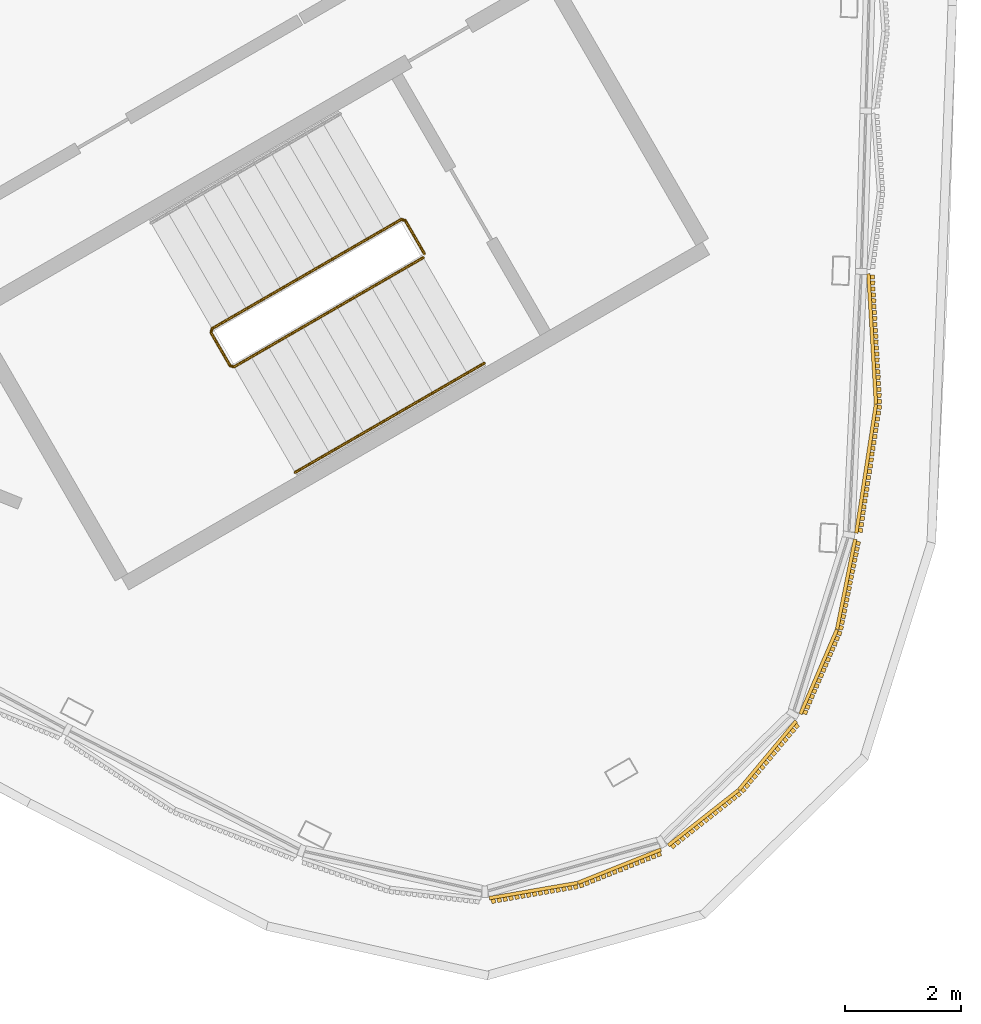
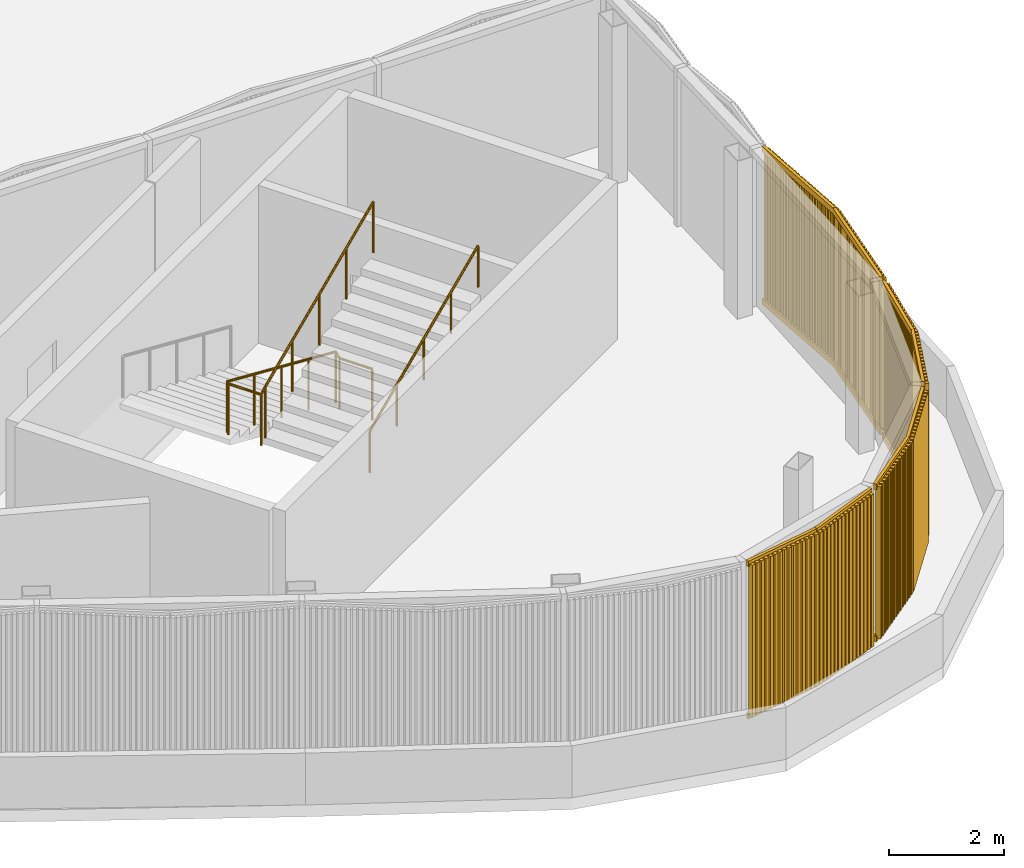
# One storey, part 13 of 16: 4 coverings, 2 railings.
"""IFC4 building model written with IfcOpenShell, lengths in metres."""

from ifc_helpers import new_model, si_unit, direction, frame, frame_2d, origin, origin_2d, place, context, subcontext, project, spatial, rectangle, circle, extrude, source, transform, mapped, material, type_object, element, save


model = new_model("IFC4")

# Units and contexts
model_context = context("Model", 3, precision=1e-05, world=origin(), true_north=direction((0.0, 1.0)))
body_context = subcontext(model_context, "Body", "Model", "MODEL_VIEW")
ifc_project = project(units=[si_unit("LENGTHUNIT", "METRE"), si_unit("AREAUNIT", "SQUARE_METRE"), si_unit("VOLUMEUNIT", "CUBIC_METRE"), si_unit("PLANEANGLEUNIT", "RADIAN"), si_unit("MASSUNIT", "GRAM", prefix="KILO")], contexts=[model_context])

# Site, building, storey
site_placement = place(None, origin())
site = spatial("IfcSite", under=ifc_project, at=site_placement, CompositionType="ELEMENT")
building_placement = place(site_placement, origin())
building = spatial("IfcBuilding", under=site, at=building_placement, Name="Tamra Quay Hotel Tower", CompositionType="ELEMENT")
storey_placement = place(building_placement, frame((0.0, 0.0, 320.60009765625)))
storey = spatial("IfcBuildingStorey", under=building, at=storey_placement, Name="Roof crown 1", CompositionType="ELEMENT", Elevation=320.60009765625)

# Railings
ifc_material_1 = material(Name="Stair guard 1100")
railing_type_1 = type_object("IfcRailingType", Name="Stair guard 1100", PredefinedType="GUARDRAIL", material=ifc_material_1)
railing_1_placement = place(storey_placement, frame((8.245849609375, -11.221923828125, 0.0)))
element("IfcRailing", 1, at=railing_1_placement, inside=storey, type_object=railing_type_1, Name="GR", PredefinedType="GUARDRAIL", context=body_context, shape_type="SweptSolid", body=[
    extrude(circle(Radius=0.02392578125, at=origin_2d()), frame((0.0, 0.0, 1.076171875), z_axis=(-0.500043078269, 0.866000531106, 0.0), x_axis=(-0.866000531106, -0.500043078269, 0.0)), (0.0, 0.0, 1.0), 0.6591796875),
    extrude(circle(Radius=0.02392578125, at=origin_2d()), frame((-0.32958984375, 0.57080078125, 1.076171875), z_axis=(-0.41238007866, 0.110458949641, 0.904290601062), x_axis=(-0.258736085224, -0.965948051503, 0.0)), (0.0, 0.0, 1.0), 0.165771484375),
    extrude(circle(Radius=0.02392578125, at=origin_2d()), frame((-0.39794921875, 0.589111328125, 1.22607421875), z_axis=(-0.793100512587, -0.457912285461, 0.401631567183), x_axis=(0.500012686397, -0.866018079166, 0.0)), (0.0, 0.0, 1.0), 4.10791015625),
    extrude(circle(Radius=0.02392578125, at=origin_2d()), frame((-3.656005859375, -1.2919921875, 2.8759765625), z_axis=(-0.256368644879, -0.966579080015, 0.0), x_axis=(0.966579080015, -0.256368644879, 0.0)), (0.0, 0.0, 1.0), 0.070556640625),
    extrude(circle(Radius=0.02392578125, at=origin_2d()), frame((-3.674072265625, -1.360107421875, 2.8759765625), z_axis=(0.499765215335, -0.866160914346, 0.0), x_axis=(0.866160914346, 0.499765215335, 0.0)), (0.0, 0.0, 1.0), 0.658935546875),
    extrude(circle(Radius=0.02392578125, at=origin_2d()), frame((-3.3447265625, -1.930908203125, 2.8759765625), z_axis=(0.411831509231, -0.110312011401, 0.90455849349), x_axis=(0.258736085224, 0.965948051503, 0.0)), (0.0, 0.0, 1.0), 0.166015625),
    extrude(circle(Radius=0.02392578125, at=origin_2d()), frame((-3.2763671875, -1.94921875, 3.02587890625), z_axis=(0.793100512587, 0.457912285461, 0.401631567183), x_axis=(-0.500012686397, 0.866018079166, 0.0)), (0.0, 0.0, 1.0), 4.10791015625),
    extrude(circle(Radius=0.02099609375, at=origin_2d()), origin(), (0.0, 0.0, 1.0), 1.052001953125),
    extrude(circle(Radius=0.02099609375, at=origin_2d()), frame((-0.32958984375, 0.57080078125, 0.0)), (0.0, 0.0, 1.0), 1.052001953125),
    extrude(circle(Radius=0.02099609375, at=origin_2d()), frame((-0.39794921875, 0.589111328125, 0.14990234375)), (0.0, 0.0, 1.0), 1.052001953125),
    extrude(circle(Radius=0.02099609375, at=origin_2d()), frame((-1.21240234375, 0.118896484375, 0.5625)), (0.0, 0.0, 1.0), 1.052001953125),
    extrude(circle(Radius=0.02099609375, at=origin_2d()), frame((-2.02685546875, -0.3515625, 0.974853515625)), (0.0, 0.0, 1.0), 1.052001953125),
    extrude(circle(Radius=0.02099609375, at=origin_2d()), frame((-2.841552734375, -0.82177734375, 1.38720703125)), (0.0, 0.0, 1.0), 1.052001953125),
    extrude(circle(Radius=0.02099609375, at=origin_2d()), frame((-3.656005859375, -1.2919921875, 1.7998046875)), (0.0, 0.0, 1.0), 1.052001953125),
    extrude(circle(Radius=0.02099609375, at=origin_2d()), frame((-3.674072265625, -1.360107421875, 1.7998046875)), (0.0, 0.0, 1.0), 1.052001953125),
    extrude(circle(Radius=0.02099609375, at=origin_2d()), frame((-3.3447265625, -1.930908203125, 1.7998046875)), (0.0, 0.0, 1.0), 1.052001953125),
    extrude(circle(Radius=0.02099609375, at=origin_2d()), frame((-3.2763671875, -1.94921875, 1.949951171875)), (0.0, 0.0, 1.0), 1.052001953125),
    extrude(circle(Radius=0.02099609375, at=origin_2d()), frame((-2.4619140625, -1.47900390625, 2.3623046875)), (0.0, 0.0, 1.0), 1.052001953125),
    extrude(circle(Radius=0.02099609375, at=origin_2d()), frame((-1.6474609375, -1.0087890625, 2.77490234375)), (0.0, 0.0, 1.0), 1.052001953125),
    extrude(circle(Radius=0.02099609375, at=origin_2d()), frame((-0.832763671875, -0.538330078125, 3.1875)), (0.0, 0.0, 1.0), 1.052001953125),
    extrude(circle(Radius=0.02099609375, at=origin_2d()), frame((-0.018310546875, -0.068115234375, 3.599853515625)), (0.0, 0.0, 1.0), 1.052001953125),
])
ifc_material_2 = material(Name="Stair handrail 900")
railing_type_2 = type_object("IfcRailingType", Name="Stair handrail 900", PredefinedType="HANDRAIL", material=ifc_material_2)
railing_2_placement = place(storey_placement, frame((6.01953125, -14.98974609375, 1.949951171875)))
element("IfcRailing", 2, at=railing_2_placement, inside=storey, type_object=railing_type_2, Name="HR", PredefinedType="HANDRAIL", context=body_context, shape_type="SweptSolid", body=[
    extrude(circle(Radius=0.02392578125, at=origin_2d()), frame((0.0, 0.0, 0.8759765625), z_axis=(0.79310004713, 0.457886897714, 0.401661429744), x_axis=(-0.499992114976, 0.866029956157, 0.0)), (0.0, 0.0, 1.0), 4.107666015625),
    extrude(circle(Radius=0.02099609375, at=origin_2d()), origin(), (0.0, 0.0, 1.0), 0.851806640625),
    extrude(circle(Radius=0.02099609375, at=origin_2d()), frame((0.814453125, 0.47021484375, 0.41259765625)), (0.0, 0.0, 1.0), 0.851806640625),
    extrude(circle(Radius=0.02099609375, at=origin_2d()), frame((1.62890625, 0.9404296875, 0.824951171875)), (0.0, 0.0, 1.0), 0.851806640625),
    extrude(circle(Radius=0.02099609375, at=origin_2d()), frame((2.443359375, 1.41064453125, 1.2373046875)), (0.0, 0.0, 1.0), 0.851806640625),
    extrude(circle(Radius=0.02099609375, at=origin_2d()), frame((3.2578125, 1.880859375, 1.64990234375)), (0.0, 0.0, 1.0), 0.851806640625),
])

# Coverings
ifc_material_3 = material(Name="Terracotta baguette extruded", Category="masonry")
covering_type = type_object("IfcCoveringType", Name="BAGUETTE SCREEN CROWN H3350", PredefinedType="USERDEFINED", material=ifc_material_3)
shared_shape_1 = source(origin(), body_context, "Body", "SweptSolid", [
    extrude(rectangle(XDim=2.244873046875, YDim=0.06005859375, at=frame_2d((1.12255859375, 0.030029296875))), frame((-2.23876953125, -0.0576171875, -0.1201171875), z_axis=(0.0, 0.0, 1.0), x_axis=(0.994521895368, -0.104528463268, 0.0)), (0.0, 0.0, 1.0), 0.1201171875),
    extrude(rectangle(XDim=2.244873046875, YDim=0.06005859375, at=frame_2d((1.12255859375, 0.030029296875))), frame((-2.23876953125, -0.0576171875, -3.35009765625), z_axis=(0.0, 0.0, 1.0), x_axis=(0.994521895368, -0.104528463268, 0.0)), (0.0, 0.0, 1.0), 0.1201171875),
    extrude(rectangle(XDim=0.070068359375, YDim=0.10009765625, at=frame_2d((0.03515625, 0.050048828125))), frame((-2.216796875, -0.13330078125, -3.2900390625)), (0.0, 0.0, 1.0), 3.22998046875),
    extrude(rectangle(XDim=0.070068359375, YDim=0.10009765625, at=frame_2d((0.03515625, 0.050048828125))), frame((-2.115234375, -0.14404296875, -3.2900390625)), (0.0, 0.0, 1.0), 3.22998046875),
    extrude(rectangle(XDim=0.070068359375, YDim=0.10009765625, at=frame_2d((0.03515625, 0.050048828125))), frame((-2.013916015625, -0.154541015625, -3.2900390625)), (0.0, 0.0, 1.0), 3.22998046875),
    extrude(rectangle(XDim=0.070068359375, YDim=0.10009765625, at=frame_2d((0.03515625, 0.050048828125))), frame((-1.912353515625, -0.165283203125, -3.2900390625)), (0.0, 0.0, 1.0), 3.22998046875),
    extrude(rectangle(XDim=0.070068359375, YDim=0.10009765625, at=frame_2d((0.03515625, 0.050048828125))), frame((-1.810791015625, -0.176025390625, -3.2900390625)), (0.0, 0.0, 1.0), 3.22998046875),
    extrude(rectangle(XDim=0.070068359375, YDim=0.10009765625, at=frame_2d((0.03515625, 0.050048828125))), frame((-1.70947265625, -0.186767578125, -3.2900390625)), (0.0, 0.0, 1.0), 3.22998046875),
    extrude(rectangle(XDim=0.070068359375, YDim=0.10009765625, at=frame_2d((0.03515625, 0.050048828125))), frame((-1.60791015625, -0.197265625, -3.2900390625)), (0.0, 0.0, 1.0), 3.22998046875),
    extrude(rectangle(XDim=0.070068359375, YDim=0.10009765625, at=frame_2d((0.03515625, 0.050048828125))), frame((-1.50634765625, -0.2080078125, -3.2900390625)), (0.0, 0.0, 1.0), 3.22998046875),
    extrude(rectangle(XDim=0.070068359375, YDim=0.10009765625, at=frame_2d((0.03515625, 0.050048828125))), frame((-1.405029296875, -0.21875, -3.2900390625)), (0.0, 0.0, 1.0), 3.22998046875),
    extrude(rectangle(XDim=0.070068359375, YDim=0.10009765625, at=frame_2d((0.03515625, 0.050048828125))), frame((-1.303466796875, -0.229248046875, -3.2900390625)), (0.0, 0.0, 1.0), 3.22998046875),
    extrude(rectangle(XDim=0.070068359375, YDim=0.10009765625, at=frame_2d((0.03515625, 0.050048828125))), frame((-1.201904296875, -0.239990234375, -3.2900390625)), (0.0, 0.0, 1.0), 3.22998046875),
    extrude(rectangle(XDim=0.070068359375, YDim=0.10009765625, at=frame_2d((0.03515625, 0.050048828125))), frame((-1.1005859375, -0.250732421875, -3.2900390625)), (0.0, 0.0, 1.0), 3.22998046875),
    extrude(rectangle(XDim=0.070068359375, YDim=0.10009765625, at=frame_2d((0.03515625, 0.050048828125))), frame((-0.9990234375, -0.26123046875, -3.2900390625)), (0.0, 0.0, 1.0), 3.22998046875),
    extrude(rectangle(XDim=0.070068359375, YDim=0.10009765625, at=frame_2d((0.03515625, 0.050048828125))), frame((-0.8974609375, -0.27197265625, -3.2900390625)), (0.0, 0.0, 1.0), 3.22998046875),
    extrude(rectangle(XDim=0.070068359375, YDim=0.10009765625, at=frame_2d((0.03515625, 0.050048828125))), frame((-0.796142578125, -0.28271484375, -3.2900390625)), (0.0, 0.0, 1.0), 3.22998046875),
    extrude(rectangle(XDim=0.070068359375, YDim=0.10009765625, at=frame_2d((0.03515625, 0.050048828125))), frame((-0.694580078125, -0.293212890625, -3.2900390625)), (0.0, 0.0, 1.0), 3.22998046875),
    extrude(rectangle(XDim=0.070068359375, YDim=0.10009765625, at=frame_2d((0.03515625, 0.050048828125))), frame((-0.593017578125, -0.303955078125, -3.2900390625)), (0.0, 0.0, 1.0), 3.22998046875),
    extrude(rectangle(XDim=0.070068359375, YDim=0.10009765625, at=frame_2d((0.03515625, 0.050048828125))), frame((-0.49169921875, -0.314697265625, -3.2900390625)), (0.0, 0.0, 1.0), 3.22998046875),
    extrude(rectangle(XDim=0.070068359375, YDim=0.10009765625, at=frame_2d((0.03515625, 0.050048828125))), frame((-0.39013671875, -0.325439453125, -3.2900390625)), (0.0, 0.0, 1.0), 3.22998046875),
    extrude(rectangle(XDim=0.070068359375, YDim=0.10009765625, at=frame_2d((0.03515625, 0.050048828125))), frame((-0.28857421875, -0.3359375, -3.2900390625)), (0.0, 0.0, 1.0), 3.22998046875),
    extrude(rectangle(XDim=0.070068359375, YDim=0.10009765625, at=frame_2d((0.03515625, 0.050048828125))), frame((-0.187255859375, -0.3466796875, -3.2900390625)), (0.0, 0.0, 1.0), 3.22998046875),
    extrude(rectangle(XDim=0.070068359375, YDim=0.10009765625, at=frame_2d((0.03515625, 0.050048828125))), frame((-0.085693359375, -0.357421875, -3.2900390625)), (0.0, 0.0, 1.0), 3.22998046875),
    extrude(rectangle(XDim=2.244873046875, YDim=0.06005859375, at=frame_2d((1.12255859375, 0.030029296875))), frame((0.00634765625, -0.292236328125, -0.1201171875), z_axis=(0.0, 0.0, 1.0), x_axis=(0.994521895368, 0.104528463268, 0.0)), (0.0, 0.0, 1.0), 0.1201171875),
    extrude(rectangle(XDim=2.244873046875, YDim=0.06005859375, at=frame_2d((1.12255859375, 0.030029296875))), frame((0.00634765625, -0.292236328125, -3.35009765625), z_axis=(0.0, 0.0, 1.0), x_axis=(0.994521895368, 0.104528463268, 0.0)), (0.0, 0.0, 1.0), 0.1201171875),
    extrude(rectangle(XDim=0.070068359375, YDim=0.10009765625, at=frame_2d((0.03515625, 0.050048828125))), frame((0.015625, -0.357421875, -3.2900390625)), (0.0, 0.0, 1.0), 3.22998046875),
    extrude(rectangle(XDim=0.070068359375, YDim=0.10009765625, at=frame_2d((0.03515625, 0.050048828125))), frame((0.1171875, -0.3466796875, -3.2900390625)), (0.0, 0.0, 1.0), 3.22998046875),
    extrude(rectangle(XDim=0.070068359375, YDim=0.10009765625, at=frame_2d((0.03515625, 0.050048828125))), frame((0.21875, -0.3359375, -3.2900390625)), (0.0, 0.0, 1.0), 3.22998046875),
    extrude(rectangle(XDim=0.070068359375, YDim=0.10009765625, at=frame_2d((0.03515625, 0.050048828125))), frame((0.320068359375, -0.325439453125, -3.2900390625)), (0.0, 0.0, 1.0), 3.22998046875),
    extrude(rectangle(XDim=0.070068359375, YDim=0.10009765625, at=frame_2d((0.03515625, 0.050048828125))), frame((0.421630859375, -0.314697265625, -3.2900390625)), (0.0, 0.0, 1.0), 3.22998046875),
    extrude(rectangle(XDim=0.070068359375, YDim=0.10009765625, at=frame_2d((0.03515625, 0.050048828125))), frame((0.523193359375, -0.303955078125, -3.2900390625)), (0.0, 0.0, 1.0), 3.22998046875),
    extrude(rectangle(XDim=0.070068359375, YDim=0.10009765625, at=frame_2d((0.03515625, 0.050048828125))), frame((0.62451171875, -0.293212890625, -3.2900390625)), (0.0, 0.0, 1.0), 3.22998046875),
    extrude(rectangle(XDim=0.070068359375, YDim=0.10009765625, at=frame_2d((0.03515625, 0.050048828125))), frame((0.72607421875, -0.28271484375, -3.2900390625)), (0.0, 0.0, 1.0), 3.22998046875),
    extrude(rectangle(XDim=0.070068359375, YDim=0.10009765625, at=frame_2d((0.03515625, 0.050048828125))), frame((0.82763671875, -0.27197265625, -3.2900390625)), (0.0, 0.0, 1.0), 3.22998046875),
    extrude(rectangle(XDim=0.070068359375, YDim=0.10009765625, at=frame_2d((0.03515625, 0.050048828125))), frame((0.928955078125, -0.26123046875, -3.2900390625)), (0.0, 0.0, 1.0), 3.22998046875),
    extrude(rectangle(XDim=0.070068359375, YDim=0.10009765625, at=frame_2d((0.03515625, 0.050048828125))), frame((1.030517578125, -0.250732421875, -3.2900390625)), (0.0, 0.0, 1.0), 3.22998046875),
    extrude(rectangle(XDim=0.070068359375, YDim=0.10009765625, at=frame_2d((0.03515625, 0.050048828125))), frame((1.132080078125, -0.239990234375, -3.2900390625)), (0.0, 0.0, 1.0), 3.22998046875),
    extrude(rectangle(XDim=0.070068359375, YDim=0.10009765625, at=frame_2d((0.03515625, 0.050048828125))), frame((1.2333984375, -0.229248046875, -3.2900390625)), (0.0, 0.0, 1.0), 3.22998046875),
    extrude(rectangle(XDim=0.070068359375, YDim=0.10009765625, at=frame_2d((0.03515625, 0.050048828125))), frame((1.3349609375, -0.21875, -3.2900390625)), (0.0, 0.0, 1.0), 3.22998046875),
    extrude(rectangle(XDim=0.070068359375, YDim=0.10009765625, at=frame_2d((0.03515625, 0.050048828125))), frame((1.4365234375, -0.2080078125, -3.2900390625)), (0.0, 0.0, 1.0), 3.22998046875),
    extrude(rectangle(XDim=0.070068359375, YDim=0.10009765625, at=frame_2d((0.03515625, 0.050048828125))), frame((1.537841796875, -0.197265625, -3.2900390625)), (0.0, 0.0, 1.0), 3.22998046875),
    extrude(rectangle(XDim=0.070068359375, YDim=0.10009765625, at=frame_2d((0.03515625, 0.050048828125))), frame((1.639404296875, -0.186767578125, -3.2900390625)), (0.0, 0.0, 1.0), 3.22998046875),
    extrude(rectangle(XDim=0.070068359375, YDim=0.10009765625, at=frame_2d((0.03515625, 0.050048828125))), frame((1.740966796875, -0.176025390625, -3.2900390625)), (0.0, 0.0, 1.0), 3.22998046875),
    extrude(rectangle(XDim=0.070068359375, YDim=0.10009765625, at=frame_2d((0.03515625, 0.050048828125))), frame((1.84228515625, -0.165283203125, -3.2900390625)), (0.0, 0.0, 1.0), 3.22998046875),
    extrude(rectangle(XDim=0.070068359375, YDim=0.10009765625, at=frame_2d((0.03515625, 0.050048828125))), frame((1.94384765625, -0.154541015625, -3.2900390625)), (0.0, 0.0, 1.0), 3.22998046875),
    extrude(rectangle(XDim=0.070068359375, YDim=0.10009765625, at=frame_2d((0.03515625, 0.050048828125))), frame((2.045166015625, -0.14404296875, -3.2900390625)), (0.0, 0.0, 1.0), 3.22998046875),
    extrude(rectangle(XDim=0.070068359375, YDim=0.10009765625, at=frame_2d((0.03515625, 0.050048828125))), frame((2.146728515625, -0.13330078125, -3.2900390625)), (0.0, 0.0, 1.0), 3.22998046875),
])
covering_1_placement = place(storey_placement, frame((15.759521484375, -13.80078125, 3.349853515625), z_axis=(0.0, 0.0, 1.0), x_axis=(0.046821305973, 0.998903281257, 0.0)))
element("IfcCovering", 3, at=covering_1_placement, inside=storey, type_object=covering_type, Name="Baguette screen Roof crown 1.B.f19", ObjectType="BAGUETTE SCREEN", PredefinedType="USERDEFINED", context=body_context, shape_type="MappedRepresentation", body=[
    mapped(shared_shape_1, transform((0.0, 0.0, 0.0), scale=1.0)),
])
shared_shape_2 = source(origin(), body_context, "Body", "SweptSolid", [
    extrude(rectangle(XDim=1.5810546875, YDim=0.06005859375, at=frame_2d((0.79052734375, 0.030029296875))), frame((-1.578857421875, -0.0576171875, -0.1201171875), z_axis=(0.0, 0.0, 1.0), x_axis=(0.994521895368, -0.104528463268, 0.0)), (0.0, 0.0, 1.0), 0.1201171875),
    extrude(rectangle(XDim=1.5810546875, YDim=0.06005859375, at=frame_2d((0.79052734375, 0.030029296875))), frame((-1.578857421875, -0.0576171875, -3.35009765625), z_axis=(0.0, 0.0, 1.0), x_axis=(0.994521895368, -0.104528463268, 0.0)), (0.0, 0.0, 1.0), 0.1201171875),
    extrude(rectangle(XDim=0.070068359375, YDim=0.10009765625, at=frame_2d((0.03515625, 0.050048828125))), frame((-1.558349609375, -0.133056640625, -3.2900390625)), (0.0, 0.0, 1.0), 3.22998046875),
    extrude(rectangle(XDim=0.070068359375, YDim=0.10009765625, at=frame_2d((0.03515625, 0.050048828125))), frame((-1.4599609375, -0.1435546875, -3.2900390625)), (0.0, 0.0, 1.0), 3.22998046875),
    extrude(rectangle(XDim=0.070068359375, YDim=0.10009765625, at=frame_2d((0.03515625, 0.050048828125))), frame((-1.36181640625, -0.15380859375, -3.2900390625)), (0.0, 0.0, 1.0), 3.22998046875),
    extrude(rectangle(XDim=0.070068359375, YDim=0.10009765625, at=frame_2d((0.03515625, 0.050048828125))), frame((-1.263427734375, -0.1640625, -3.2900390625)), (0.0, 0.0, 1.0), 3.22998046875),
    extrude(rectangle(XDim=0.070068359375, YDim=0.10009765625, at=frame_2d((0.03515625, 0.050048828125))), frame((-1.165283203125, -0.174560546875, -3.2900390625)), (0.0, 0.0, 1.0), 3.22998046875),
    extrude(rectangle(XDim=0.070068359375, YDim=0.10009765625, at=frame_2d((0.03515625, 0.050048828125))), frame((-1.06689453125, -0.184814453125, -3.2900390625)), (0.0, 0.0, 1.0), 3.22998046875),
    extrude(rectangle(XDim=0.070068359375, YDim=0.10009765625, at=frame_2d((0.03515625, 0.050048828125))), frame((-0.96875, -0.195068359375, -3.2900390625)), (0.0, 0.0, 1.0), 3.22998046875),
    extrude(rectangle(XDim=0.070068359375, YDim=0.10009765625, at=frame_2d((0.03515625, 0.050048828125))), frame((-0.870361328125, -0.20556640625, -3.2900390625)), (0.0, 0.0, 1.0), 3.22998046875),
    extrude(rectangle(XDim=0.070068359375, YDim=0.10009765625, at=frame_2d((0.03515625, 0.050048828125))), frame((-0.772216796875, -0.2158203125, -3.2900390625)), (0.0, 0.0, 1.0), 3.22998046875),
    extrude(rectangle(XDim=0.070068359375, YDim=0.10009765625, at=frame_2d((0.03515625, 0.050048828125))), frame((-0.673828125, -0.22607421875, -3.2900390625)), (0.0, 0.0, 1.0), 3.22998046875),
    extrude(rectangle(XDim=0.070068359375, YDim=0.10009765625, at=frame_2d((0.03515625, 0.050048828125))), frame((-0.575439453125, -0.236572265625, -3.2900390625)), (0.0, 0.0, 1.0), 3.22998046875),
    extrude(rectangle(XDim=0.070068359375, YDim=0.10009765625, at=frame_2d((0.03515625, 0.050048828125))), frame((-0.477294921875, -0.246826171875, -3.2900390625)), (0.0, 0.0, 1.0), 3.22998046875),
    extrude(rectangle(XDim=0.070068359375, YDim=0.10009765625, at=frame_2d((0.03515625, 0.050048828125))), frame((-0.37890625, -0.257080078125, -3.2900390625)), (0.0, 0.0, 1.0), 3.22998046875),
    extrude(rectangle(XDim=0.070068359375, YDim=0.10009765625, at=frame_2d((0.03515625, 0.050048828125))), frame((-0.28076171875, -0.267333984375, -3.2900390625)), (0.0, 0.0, 1.0), 3.22998046875),
    extrude(rectangle(XDim=0.070068359375, YDim=0.10009765625, at=frame_2d((0.03515625, 0.050048828125))), frame((-0.182373046875, -0.27783203125, -3.2900390625)), (0.0, 0.0, 1.0), 3.22998046875),
    extrude(rectangle(XDim=0.070068359375, YDim=0.10009765625, at=frame_2d((0.03515625, 0.050048828125))), frame((-0.084228515625, -0.2880859375, -3.2900390625)), (0.0, 0.0, 1.0), 3.22998046875),
    extrude(rectangle(XDim=1.5810546875, YDim=0.06005859375, at=frame_2d((0.79052734375, 0.030029296875))), frame((0.00634765625, -0.222900390625, -0.1201171875), z_axis=(0.0, 0.0, 1.0), x_axis=(0.994521895368, 0.104528463268, 0.0)), (0.0, 0.0, 1.0), 0.1201171875),
    extrude(rectangle(XDim=1.5810546875, YDim=0.06005859375, at=frame_2d((0.79052734375, 0.030029296875))), frame((0.00634765625, -0.222900390625, -3.35009765625), z_axis=(0.0, 0.0, 1.0), x_axis=(0.994521895368, 0.104528463268, 0.0)), (0.0, 0.0, 1.0), 0.1201171875),
    extrude(rectangle(XDim=0.070068359375, YDim=0.10009765625, at=frame_2d((0.03515625, 0.050048828125))), frame((0.01416015625, -0.2880859375, -3.2900390625)), (0.0, 0.0, 1.0), 3.22998046875),
    extrude(rectangle(XDim=0.070068359375, YDim=0.10009765625, at=frame_2d((0.03515625, 0.050048828125))), frame((0.1123046875, -0.27783203125, -3.2900390625)), (0.0, 0.0, 1.0), 3.22998046875),
    extrude(rectangle(XDim=0.070068359375, YDim=0.10009765625, at=frame_2d((0.03515625, 0.050048828125))), frame((0.210693359375, -0.267333984375, -3.2900390625)), (0.0, 0.0, 1.0), 3.22998046875),
    extrude(rectangle(XDim=0.070068359375, YDim=0.10009765625, at=frame_2d((0.03515625, 0.050048828125))), frame((0.30908203125, -0.257080078125, -3.2900390625)), (0.0, 0.0, 1.0), 3.22998046875),
    extrude(rectangle(XDim=0.070068359375, YDim=0.10009765625, at=frame_2d((0.03515625, 0.050048828125))), frame((0.4072265625, -0.246826171875, -3.2900390625)), (0.0, 0.0, 1.0), 3.22998046875),
    extrude(rectangle(XDim=0.070068359375, YDim=0.10009765625, at=frame_2d((0.03515625, 0.050048828125))), frame((0.505615234375, -0.236572265625, -3.2900390625)), (0.0, 0.0, 1.0), 3.22998046875),
    extrude(rectangle(XDim=0.070068359375, YDim=0.10009765625, at=frame_2d((0.03515625, 0.050048828125))), frame((0.603759765625, -0.22607421875, -3.2900390625)), (0.0, 0.0, 1.0), 3.22998046875),
    extrude(rectangle(XDim=0.070068359375, YDim=0.10009765625, at=frame_2d((0.03515625, 0.050048828125))), frame((0.7021484375, -0.2158203125, -3.2900390625)), (0.0, 0.0, 1.0), 3.22998046875),
    extrude(rectangle(XDim=0.070068359375, YDim=0.10009765625, at=frame_2d((0.03515625, 0.050048828125))), frame((0.80029296875, -0.20556640625, -3.2900390625)), (0.0, 0.0, 1.0), 3.22998046875),
    extrude(rectangle(XDim=0.070068359375, YDim=0.10009765625, at=frame_2d((0.03515625, 0.050048828125))), frame((0.898681640625, -0.195068359375, -3.2900390625)), (0.0, 0.0, 1.0), 3.22998046875),
    extrude(rectangle(XDim=0.070068359375, YDim=0.10009765625, at=frame_2d((0.03515625, 0.050048828125))), frame((0.9970703125, -0.184814453125, -3.2900390625)), (0.0, 0.0, 1.0), 3.22998046875),
    extrude(rectangle(XDim=0.070068359375, YDim=0.10009765625, at=frame_2d((0.03515625, 0.050048828125))), frame((1.09521484375, -0.174560546875, -3.2900390625)), (0.0, 0.0, 1.0), 3.22998046875),
    extrude(rectangle(XDim=0.070068359375, YDim=0.10009765625, at=frame_2d((0.03515625, 0.050048828125))), frame((1.193603515625, -0.1640625, -3.2900390625)), (0.0, 0.0, 1.0), 3.22998046875),
    extrude(rectangle(XDim=0.070068359375, YDim=0.10009765625, at=frame_2d((0.03515625, 0.050048828125))), frame((1.291748046875, -0.15380859375, -3.2900390625)), (0.0, 0.0, 1.0), 3.22998046875),
    extrude(rectangle(XDim=0.070068359375, YDim=0.10009765625, at=frame_2d((0.03515625, 0.050048828125))), frame((1.39013671875, -0.1435546875, -3.2900390625)), (0.0, 0.0, 1.0), 3.22998046875),
    extrude(rectangle(XDim=0.070068359375, YDim=0.10009765625, at=frame_2d((0.03515625, 0.050048828125))), frame((1.48828125, -0.133056640625, -3.2900390625)), (0.0, 0.0, 1.0), 3.22998046875),
])
covering_2_placement = place(storey_placement, frame((15.16650390625, -17.6357421875, 3.349853515625), z_axis=(0.0, 0.0, 1.0), x_axis=(0.29839239288, 0.954443282689, 0.0)))
element("IfcCovering", 4, at=covering_2_placement, inside=storey, type_object=covering_type, Name="Baguette screen Roof crown 1.B.f18", ObjectType="BAGUETTE SCREEN", PredefinedType="USERDEFINED", context=body_context, shape_type="MappedRepresentation", body=[
    mapped(shared_shape_2, transform((0.0, 0.0, 0.0), scale=1.0)),
])
shared_shape_3 = source(origin(), body_context, "Body", "SweptSolid", [
    extrude(rectangle(XDim=1.541015625, YDim=0.06005859375, at=frame_2d((0.7705078125, 0.030029296875))), frame((-1.538818359375, -0.0576171875, -0.1201171875), z_axis=(0.0, 0.0, 1.0), x_axis=(0.994521895368, -0.104528463268, 0.0)), (0.0, 0.0, 1.0), 0.1201171875),
    extrude(rectangle(XDim=1.541015625, YDim=0.06005859375, at=frame_2d((0.7705078125, 0.030029296875))), frame((-1.538818359375, -0.0576171875, -3.35009765625), z_axis=(0.0, 0.0, 1.0), x_axis=(0.994521895368, -0.104528463268, 0.0)), (0.0, 0.0, 1.0), 0.1201171875),
    extrude(rectangle(XDim=0.070068359375, YDim=0.10009765625, at=frame_2d((0.03515625, 0.050048828125))), frame((-1.516357421875, -0.13330078125, -3.2900390625)), (0.0, 0.0, 1.0), 3.22998046875),
    extrude(rectangle(XDim=0.070068359375, YDim=0.10009765625, at=frame_2d((0.03515625, 0.050048828125))), frame((-1.414306640625, -0.14404296875, -3.2900390625)), (0.0, 0.0, 1.0), 3.22998046875),
    extrude(rectangle(XDim=0.070068359375, YDim=0.10009765625, at=frame_2d((0.03515625, 0.050048828125))), frame((-1.31201171875, -0.15478515625, -3.2900390625)), (0.0, 0.0, 1.0), 3.22998046875),
    extrude(rectangle(XDim=0.070068359375, YDim=0.10009765625, at=frame_2d((0.03515625, 0.050048828125))), frame((-1.2099609375, -0.16552734375, -3.2900390625)), (0.0, 0.0, 1.0), 3.22998046875),
    extrude(rectangle(XDim=0.070068359375, YDim=0.10009765625, at=frame_2d((0.03515625, 0.050048828125))), frame((-1.107666015625, -0.17626953125, -3.2900390625)), (0.0, 0.0, 1.0), 3.22998046875),
    extrude(rectangle(XDim=0.070068359375, YDim=0.10009765625, at=frame_2d((0.03515625, 0.050048828125))), frame((-1.005615234375, -0.18701171875, -3.2900390625)), (0.0, 0.0, 1.0), 3.22998046875),
    extrude(rectangle(XDim=0.070068359375, YDim=0.10009765625, at=frame_2d((0.03515625, 0.050048828125))), frame((-0.9033203125, -0.19775390625, -3.2900390625)), (0.0, 0.0, 1.0), 3.22998046875),
    extrude(rectangle(XDim=0.070068359375, YDim=0.10009765625, at=frame_2d((0.03515625, 0.050048828125))), frame((-0.80126953125, -0.20849609375, -3.2900390625)), (0.0, 0.0, 1.0), 3.22998046875),
    extrude(rectangle(XDim=0.070068359375, YDim=0.10009765625, at=frame_2d((0.03515625, 0.050048828125))), frame((-0.698974609375, -0.21923828125, -3.2900390625)), (0.0, 0.0, 1.0), 3.22998046875),
    extrude(rectangle(XDim=0.070068359375, YDim=0.10009765625, at=frame_2d((0.03515625, 0.050048828125))), frame((-0.596923828125, -0.22998046875, -3.2900390625)), (0.0, 0.0, 1.0), 3.22998046875),
    extrude(rectangle(XDim=0.070068359375, YDim=0.10009765625, at=frame_2d((0.03515625, 0.050048828125))), frame((-0.49462890625, -0.24072265625, -3.2900390625)), (0.0, 0.0, 1.0), 3.22998046875),
    extrude(rectangle(XDim=0.070068359375, YDim=0.10009765625, at=frame_2d((0.03515625, 0.050048828125))), frame((-0.392578125, -0.25146484375, -3.2900390625)), (0.0, 0.0, 1.0), 3.22998046875),
    extrude(rectangle(XDim=0.070068359375, YDim=0.10009765625, at=frame_2d((0.03515625, 0.050048828125))), frame((-0.29052734375, -0.26220703125, -3.2900390625)), (0.0, 0.0, 1.0), 3.22998046875),
    extrude(rectangle(XDim=0.070068359375, YDim=0.10009765625, at=frame_2d((0.03515625, 0.050048828125))), frame((-0.188232421875, -0.27294921875, -3.2900390625)), (0.0, 0.0, 1.0), 3.22998046875),
    extrude(rectangle(XDim=0.070068359375, YDim=0.10009765625, at=frame_2d((0.03515625, 0.050048828125))), frame((-0.086181640625, -0.28369140625, -3.2900390625)), (0.0, 0.0, 1.0), 3.22998046875),
    extrude(rectangle(XDim=1.541015625, YDim=0.06005859375, at=frame_2d((0.7705078125, 0.030029296875))), frame((0.00634765625, -0.21875, -0.1201171875), z_axis=(0.0, 0.0, 1.0), x_axis=(0.994521895368, 0.104528463268, 0.0)), (0.0, 0.0, 1.0), 0.1201171875),
    extrude(rectangle(XDim=1.541015625, YDim=0.06005859375, at=frame_2d((0.7705078125, 0.030029296875))), frame((0.00634765625, -0.21875, -3.35009765625), z_axis=(0.0, 0.0, 1.0), x_axis=(0.994521895368, 0.104528463268, 0.0)), (0.0, 0.0, 1.0), 0.1201171875),
    extrude(rectangle(XDim=0.070068359375, YDim=0.10009765625, at=frame_2d((0.03515625, 0.050048828125))), frame((0.01611328125, -0.28369140625, -3.2900390625)), (0.0, 0.0, 1.0), 3.22998046875),
    extrude(rectangle(XDim=0.070068359375, YDim=0.10009765625, at=frame_2d((0.03515625, 0.050048828125))), frame((0.1181640625, -0.27294921875, -3.2900390625)), (0.0, 0.0, 1.0), 3.22998046875),
    extrude(rectangle(XDim=0.070068359375, YDim=0.10009765625, at=frame_2d((0.03515625, 0.050048828125))), frame((0.220458984375, -0.26220703125, -3.2900390625)), (0.0, 0.0, 1.0), 3.22998046875),
    extrude(rectangle(XDim=0.070068359375, YDim=0.10009765625, at=frame_2d((0.03515625, 0.050048828125))), frame((0.322509765625, -0.25146484375, -3.2900390625)), (0.0, 0.0, 1.0), 3.22998046875),
    extrude(rectangle(XDim=0.070068359375, YDim=0.10009765625, at=frame_2d((0.03515625, 0.050048828125))), frame((0.4248046875, -0.24072265625, -3.2900390625)), (0.0, 0.0, 1.0), 3.22998046875),
    extrude(rectangle(XDim=0.070068359375, YDim=0.10009765625, at=frame_2d((0.03515625, 0.050048828125))), frame((0.52685546875, -0.22998046875, -3.2900390625)), (0.0, 0.0, 1.0), 3.22998046875),
    extrude(rectangle(XDim=0.070068359375, YDim=0.10009765625, at=frame_2d((0.03515625, 0.050048828125))), frame((0.629150390625, -0.21923828125, -3.2900390625)), (0.0, 0.0, 1.0), 3.22998046875),
    extrude(rectangle(XDim=0.070068359375, YDim=0.10009765625, at=frame_2d((0.03515625, 0.050048828125))), frame((0.731201171875, -0.20849609375, -3.2900390625)), (0.0, 0.0, 1.0), 3.22998046875),
    extrude(rectangle(XDim=0.070068359375, YDim=0.10009765625, at=frame_2d((0.03515625, 0.050048828125))), frame((0.83349609375, -0.19775390625, -3.2900390625)), (0.0, 0.0, 1.0), 3.22998046875),
    extrude(rectangle(XDim=0.070068359375, YDim=0.10009765625, at=frame_2d((0.03515625, 0.050048828125))), frame((0.935546875, -0.18701171875, -3.2900390625)), (0.0, 0.0, 1.0), 3.22998046875),
    extrude(rectangle(XDim=0.070068359375, YDim=0.10009765625, at=frame_2d((0.03515625, 0.050048828125))), frame((1.037841796875, -0.17626953125, -3.2900390625)), (0.0, 0.0, 1.0), 3.22998046875),
    extrude(rectangle(XDim=0.070068359375, YDim=0.10009765625, at=frame_2d((0.03515625, 0.050048828125))), frame((1.139892578125, -0.16552734375, -3.2900390625)), (0.0, 0.0, 1.0), 3.22998046875),
    extrude(rectangle(XDim=0.070068359375, YDim=0.10009765625, at=frame_2d((0.03515625, 0.050048828125))), frame((1.2421875, -0.15478515625, -3.2900390625)), (0.0, 0.0, 1.0), 3.22998046875),
    extrude(rectangle(XDim=0.070068359375, YDim=0.10009765625, at=frame_2d((0.03515625, 0.050048828125))), frame((1.34423828125, -0.14404296875, -3.2900390625)), (0.0, 0.0, 1.0), 3.22998046875),
    extrude(rectangle(XDim=0.070068359375, YDim=0.10009765625, at=frame_2d((0.03515625, 0.050048828125))), frame((1.446533203125, -0.13330078125, -3.2900390625)), (0.0, 0.0, 1.0), 3.22998046875),
])
for number, where, z_axis, x_axis, name in (
    (5, (10.83447265625, -21.875244140625, 3.349853515625), (0.0, 0.0, 1.0), (0.96227963311, 0.272062323195, 0.0), "Baguette screen Roof crown 1.B.f16"),
    (6, (13.52734375, -20.320556640625, 3.349853515625), (0.0, 0.0, 1.0), (0.716752699854, 0.69732744622, 0.0), "Baguette screen Roof crown 1.B.f17"),
):
    element("IfcCovering", number, at=place(storey_placement, frame(where, z_axis=z_axis, x_axis=x_axis)), inside=storey, type_object=covering_type, Name=name, ObjectType="BAGUETTE SCREEN", PredefinedType="USERDEFINED", context=body_context, shape_type="MappedRepresentation", body=[
        mapped(shared_shape_3, transform((0.0, 0.0, 0.0), scale=1.0)),
    ])

save(model, "model.ifc")
